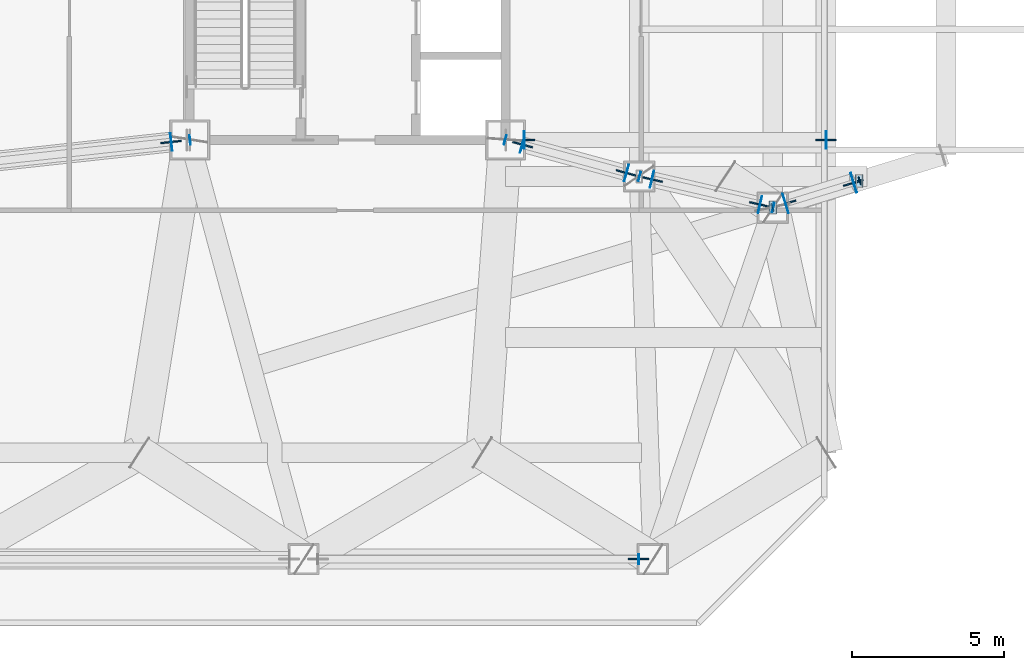
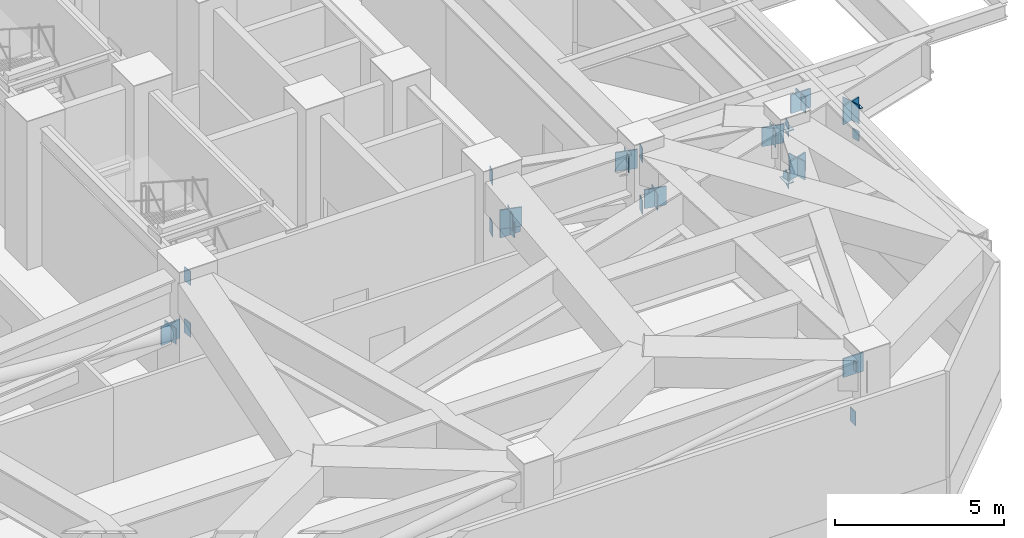
# One storey, part 11 of 18: 34 plates.
"""IFC4 building model written with IfcOpenShell, lengths in metres."""

from ifc_helpers import new_model, si_unit, direction, frame, origin, origin_2d, place, context, subcontext, project, spatial, rectangle, extrude, material, layer, layer_set, type_object, element, save


model = new_model("IFC4")

# Units and contexts
model_context = context("Model", 3, precision=1e-05, world=origin(), true_north=direction((0.0, 1.0)))
body_context = subcontext(model_context, "Body", "Model", "MODEL_VIEW")
ifc_project = project(units=[si_unit("LENGTHUNIT", "METRE"), si_unit("AREAUNIT", "SQUARE_METRE"), si_unit("VOLUMEUNIT", "CUBIC_METRE"), si_unit("PLANEANGLEUNIT", "RADIAN"), si_unit("MASSUNIT", "GRAM", prefix="KILO")], contexts=[model_context])

# Site, building, storey
site_placement = place(None, origin())
site = spatial("IfcSite", under=ifc_project, at=site_placement, CompositionType="ELEMENT")
building_placement = place(site_placement, origin())
building = spatial("IfcBuilding", under=site, at=building_placement, Name="Khamvora Tower", CompositionType="ELEMENT")
storey_placement = place(building_placement, frame((0.0, 0.0, 84.39990234375)))
storey = spatial("IfcBuildingStorey", under=building, at=storey_placement, Name="L21", CompositionType="ELEMENT", Elevation=84.39990234375)

# Plates
ifc_material_1 = material(Name="Steel S355", Category="steel")
ifc_layer_1 = layer(ifc_material_1, 0.02490234375)
ifc_layer_set_1 = layer_set([ifc_layer_1], Name="Steel S355")
plate_type_1 = type_object("IfcPlateType", Name="PL-CAP-25", PredefinedType="SHEET", material=ifc_layer_set_1)
for number, where, z_axis, x_axis, name in (
    (1, (29.011962890625, 19.0009765625, 4.375), (0.0, 0.0, 1.0), (-0.994101853063, -0.108450475968, 0.0), "L21 hollow section steel end cap plate 0612"),
    (2, (29.011962890625, 19.0009765625, 2.5048828125), (0.0, 0.0, 1.0), (-0.994101853063, -0.108450475968, 0.0), "L21 hollow section steel end cap plate 0614"),
):
    element("IfcPlate", number, at=place(storey_placement, frame(where, z_axis=z_axis, x_axis=x_axis)), inside=storey, type_object=plate_type_1, Name=name, PredefinedType="SHEET", context=body_context, shape_type="SweptSolid", body=[
        extrude(rectangle(XDim=0.02490234375, YDim=0.31005859375, at=origin_2d()), origin(), (0.0, 0.0, 1.0), 0.510009765625),
    ])
plate_1_placement = place(storey_placement, frame((28.39404296875, 18.93408203125, 2.5791015625), z_axis=(0.0, 0.0, 1.0), x_axis=(-0.994094279368, -0.108519877105, 0.0)))
element("IfcPlate", 3, at=plate_1_placement, inside=storey, type_object=plate_type_1, Name="L21 hollow section steel end cap plate 0616", PredefinedType="SHEET", context=body_context, shape_type="SweptSolid", body=[
    extrude(rectangle(XDim=0.02490234375, YDim=0.568115234375, at=origin_2d()), origin(), (0.0, 0.0, 1.0), 0.568115234375),
])
for number, where, z_axis, x_axis, name in (
    (4, (39.387939453125, 19.0029296875, 4.375), (0.0, 0.0, 1.0), (0.964764366352, -0.263115407033, 0.0), "L21 hollow section steel end cap plate 0636"),
    (5, (43.81201171875, 17.797119140625, 4.375), (0.0, 0.0, 1.0), (0.964764366352, -0.263115407033, 0.0), "L21 hollow section steel end cap plate 0637"),
    (6, (39.387939453125, 19.0029296875, 2.5048828125), (0.0, 0.0, 1.0), (0.964764366352, -0.263115407033, 0.0), "L21 hollow section steel end cap plate 0638"),
    (7, (43.81201171875, 17.797119140625, 2.5048828125), (0.0, 0.0, 1.0), (0.964764366352, -0.263115407033, 0.0), "L21 hollow section steel end cap plate 0639"),
):
    element("IfcPlate", number, at=place(storey_placement, frame(where, z_axis=z_axis, x_axis=x_axis)), inside=storey, type_object=plate_type_1, Name=name, PredefinedType="SHEET", context=body_context, shape_type="SweptSolid", body=[
        extrude(rectangle(XDim=0.02490234375, YDim=0.31005859375, at=origin_2d()), origin(), (0.0, 0.0, 1.0), 0.510009765625),
    ])
for number, where, z_axis, x_axis, name in (
    (8, (39.950927734375, 18.85009765625, 2.7099609375), (0.0, 0.0, 1.0), (0.964764366352, -0.263115407033, 0.0), "L21 hollow section steel end cap plate 0640"),
    (9, (43.383056640625, 17.9140625, 4.1689453125), (0.0, 0.0, 1.0), (0.964764366352, -0.263115407033, 0.0), "L21 hollow section steel end cap plate 0641"),
):
    element("IfcPlate", number, at=place(storey_placement, frame(where, z_axis=z_axis, x_axis=x_axis)), inside=storey, type_object=plate_type_1, Name=name, PredefinedType="SHEET", context=body_context, shape_type="SweptSolid", body=[
        extrude(rectangle(XDim=0.02490234375, YDim=0.568115234375, at=origin_2d()), origin(), (0.0, 0.0, 1.0), 0.568115234375),
    ])
for number, where, z_axis, x_axis, name in (
    (10, (48.2119140625, 16.77197265625, 4.375), (0.0, 0.0, 1.0), (0.973924516659, -0.226872289738, 0.0), "L21 hollow section steel end cap plate 0642"),
    (11, (48.2119140625, 16.77197265625, 2.5048828125), (0.0, 0.0, 1.0), (0.973924516659, -0.226872289738, 0.0), "L21 hollow section steel end cap plate 0643"),
):
    element("IfcPlate", number, at=place(storey_placement, frame(where, z_axis=z_axis, x_axis=x_axis)), inside=storey, type_object=plate_type_1, Name=name, PredefinedType="SHEET", context=body_context, shape_type="SweptSolid", body=[
        extrude(rectangle(XDim=0.02490234375, YDim=0.31005859375, at=origin_2d()), origin(), (0.0, 0.0, 1.0), 0.510009765625),
    ])
for number, where, z_axis, x_axis, name in (
    (12, (44.220947265625, 17.701904296875, 2.6552734375), (0.0, 0.0, 1.0), (0.973968055063, -0.226685305474, 0.0), "L21 hollow section steel end cap plate 0644"),
    (13, (47.779052734375, 16.873046875, 4.1669921875), (0.0, 0.0, 1.0), (0.973968055063, -0.226685305474, 0.0), "L21 hollow section steel end cap plate 0645"),
):
    element("IfcPlate", number, at=place(storey_placement, frame(where, z_axis=z_axis, x_axis=x_axis)), inside=storey, type_object=plate_type_1, Name=name, PredefinedType="SHEET", context=body_context, shape_type="SweptSolid", body=[
        extrude(rectangle(XDim=0.02490234375, YDim=0.568115234375, at=origin_2d()), origin(), (0.0, 0.0, 1.0), 0.568115234375),
    ])
for number, where, z_axis, x_axis, name in (
    (14, (48.199951171875, 16.77490234375, 2.734619140625), (0.0, 0.0, 1.0), (1.0, 0.0, 0.0), "L21 hollow section steel end cap plate 0646"),
    (15, (48.199951171875, 16.77490234375, 4.630615234375), (0.0, 0.0, 1.0), (1.0, 0.0, 0.0), "L21 hollow section steel end cap plate 0647"),
):
    element("IfcPlate", number, at=place(storey_placement, frame(where, z_axis=z_axis, x_axis=x_axis)), inside=storey, type_object=plate_type_1, Name=name, PredefinedType="SHEET", context=body_context, shape_type="SweptSolid", body=[
        extrude(rectangle(XDim=0.239990234375, YDim=0.43994140625, at=origin_2d()), origin(), (0.0, 0.0, 1.0), 0.02490234375),
    ])
plate_2_placement = place(storey_placement, frame((43.782958984375, 5.199951171875, 2.5048828125), z_axis=(0.0, 0.0, 1.0), x_axis=(1.0, 0.0, 0.0)))
element("IfcPlate", 16, at=plate_2_placement, inside=storey, type_object=plate_type_1, Name="L21 hollow section steel end cap plate 0669", PredefinedType="SHEET", context=body_context, shape_type="SweptSolid", body=[
    extrude(rectangle(XDim=0.02490234375, YDim=0.31005859375, at=origin_2d()), origin(), (0.0, 0.0, 1.0), 0.510009765625),
])
for number, where, z_axis, x_axis, name in (
    (17, (40.014892578125, 19.0, 2.3291015625), (0.0, 0.0, 1.0), (1.0, 0.0, 0.0), "L21 hollow section steel end cap plate 0680"),
    (18, (49.9619140625, 19.0, 3.34716796875), (0.0, 0.0, 1.0), (1.0, 0.0, 0.0), "L21 hollow section steel end cap plate 0681"),
):
    element("IfcPlate", number, at=place(storey_placement, frame(where, z_axis=z_axis, x_axis=x_axis)), inside=storey, type_object=plate_type_1, Name=name, PredefinedType="SHEET", context=body_context, shape_type="SweptSolid", body=[
        extrude(rectangle(XDim=0.02490234375, YDim=0.568115234375, at=origin_2d()), origin(), (0.0, 0.0, 1.0), 0.568115234375),
    ])
for number, where, z_axis, x_axis, name in (
    (19, (48.18798828125, 16.77099609375, 2.66015625), (0.0, 0.0, 1.0), (0.955962211327, 0.293489779234, 0.0), "L21 hollow section steel end cap plate 0684"),
    (20, (51.06201171875, 17.654052734375, 2.66015625), (0.0, 0.0, 1.0), (0.955962211327, 0.293489779234, 0.0), "L21 hollow section steel end cap plate 0685"),
):
    element("IfcPlate", number, at=place(storey_placement, frame(where, z_axis=z_axis, x_axis=x_axis)), inside=storey, type_object=plate_type_1, Name=name, PredefinedType="SHEET", context=body_context, shape_type="SweptSolid", body=[
        extrude(rectangle(XDim=0.02490234375, YDim=0.260009765625, at=origin_2d()), origin(), (0.0, 0.0, 1.0), 0.360107421875),
    ])
plate_3_placement = place(storey_placement, frame((51.050048828125, 17.64990234375, 3.890625), z_axis=(0.0, 0.0, 1.0), x_axis=(1.0, 0.0, 0.0)))
element("IfcPlate", 21, at=plate_3_placement, inside=storey, type_object=plate_type_1, Name="L21 hollow section steel end cap plate 0686", PredefinedType="SHEET", context=body_context, shape_type="SweptSolid", body=[
    extrude(rectangle(XDim=0.239990234375, YDim=0.43994140625, at=origin_2d()), origin(), (0.0, 0.0, 1.0), 0.02490234375),
])
for number, where, z_axis, x_axis, name in (
    (22, (48.6220703125, 16.905029296875, 2.66015625), (0.0, 0.0, 1.0), (0.955992940263, 0.293389669497, 0.0), "L21 hollow section steel end cap plate 0687"),
    (23, (50.863037109375, 17.592041015625, 3.486083984375), (0.0, 0.0, 1.0), (0.955992940263, 0.293389669497, 0.0), "L21 hollow section steel end cap plate 0688"),
):
    element("IfcPlate", number, at=place(storey_placement, frame(where, z_axis=z_axis, x_axis=x_axis)), inside=storey, type_object=plate_type_1, Name=name, PredefinedType="SHEET", context=body_context, shape_type="SweptSolid", body=[
        extrude(rectangle(XDim=0.02490234375, YDim=0.669921875, at=origin_2d()), origin(), (0.0, 0.0, 1.0), 0.669921875),
    ])
plate_4_placement = place(storey_placement, frame((43.7890625, 5.199951171875, 4.465576171875), z_axis=(0.0, 0.0, 1.0), x_axis=(1.0, 0.0, 0.0)))
element("IfcPlate", 24, at=plate_4_placement, inside=storey, type_object=plate_type_1, Name="L21 hollow section steel end cap plate 0729", PredefinedType="SHEET", context=body_context, shape_type="SweptSolid", body=[
    extrude(rectangle(XDim=0.02490234375, YDim=0.3330078125, at=origin_2d()), origin(), (0.0, 0.0, 1.0), 0.3330078125),
])
ifc_material_2 = material(Name="Steel S460", Category="steel")
ifc_layer_2 = layer(ifc_material_2, 0.050048828125)
ifc_layer_set_2 = layer_set([ifc_layer_2], Name="Steel S460")
plate_type_2 = type_object("IfcPlateType", Name="PLT-GUS-50", PredefinedType="SHEET", material=ifc_layer_set_2)
for number, where, z_axis, x_axis, name in (
    (25, (28.382080078125, 18.93310546875, 2.52490234375), (0.0, 0.0, 1.0), (-0.994101853063, -0.108450475968, 0.0), "L21 brace connection node gusset plate 0129"),
    (26, (39.9619140625, 18.846923828125, 2.6591796875), (0.0, 0.0, 1.0), (0.964764366352, -0.263115407033, 0.0), "L21 brace connection node gusset plate 0137"),
    (27, (43.3720703125, 17.9169921875, 4.10791015625), (0.0, 0.0, 1.0), (0.964764366352, -0.263115407033, 0.0), "L21 brace connection node gusset plate 0138"),
    (28, (44.23193359375, 17.698974609375, 2.60400390625), (0.0, 0.0, 1.0), (0.973924516659, -0.226872289738, 0.0), "L21 brace connection node gusset plate 0139"),
    (29, (47.76806640625, 16.8759765625, 4.10595703125), (0.0, 0.0, 1.0), (0.973924516659, -0.226872289738, 0.0), "L21 brace connection node gusset plate 0140"),
    (30, (40.027099609375, 19.0, 2.27392578125), (0.0, 0.0, 1.0), (1.0, 0.0, 0.0), "L21 brace connection node gusset plate 0153"),
    (31, (49.949951171875, 19.0, 3.2900390625), (0.0, 0.0, 1.0), (1.0, 0.0, 0.0), "L21 brace connection node gusset plate 0154"),
    (32, (48.633056640625, 16.907958984375, 2.6591796875), (0.0, 0.0, 1.0), (0.955962211327, 0.293489779234, 0.0), "L21 brace connection node gusset plate 0157"),
    (33, (50.85205078125, 17.589111328125, 3.47705078125), (0.0, 0.0, 1.0), (0.955962211327, 0.293489779234, 0.0), "L21 brace connection node gusset plate 0158"),
    (34, (43.777099609375, 5.199951171875, 4.2900390625), (0.0, 0.0, 1.0), (1.0, 0.0, 0.0), "L21 brace connection node gusset plate 0162"),
):
    element("IfcPlate", number, at=place(storey_placement, frame(where, z_axis=z_axis, x_axis=x_axis)), inside=storey, type_object=plate_type_2, Name=name, PredefinedType="SHEET", context=body_context, shape_type="SweptSolid", body=[
        extrude(rectangle(XDim=0.679931640625, YDim=0.050048828125, at=origin_2d()), origin(), (0.0, 0.0, 1.0), 0.679931640625),
    ])

save(model, "model.ifc")
